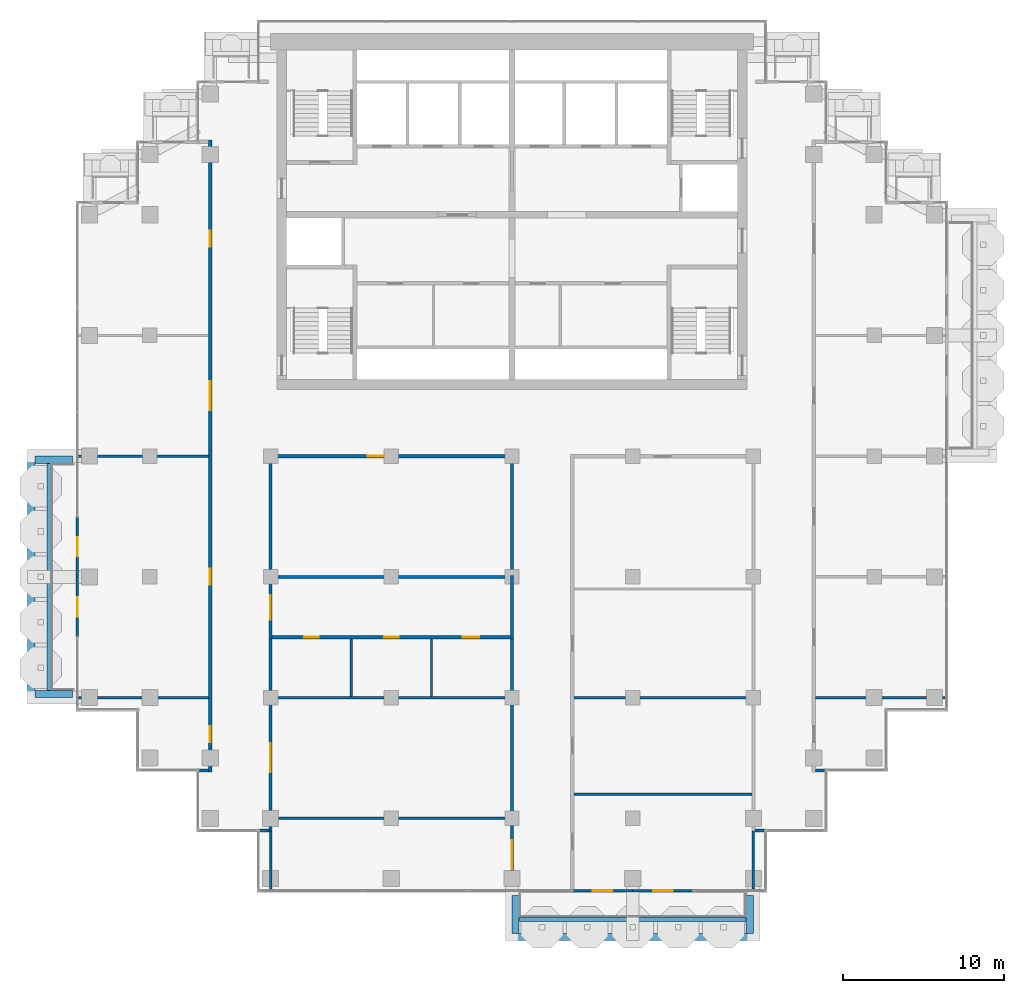
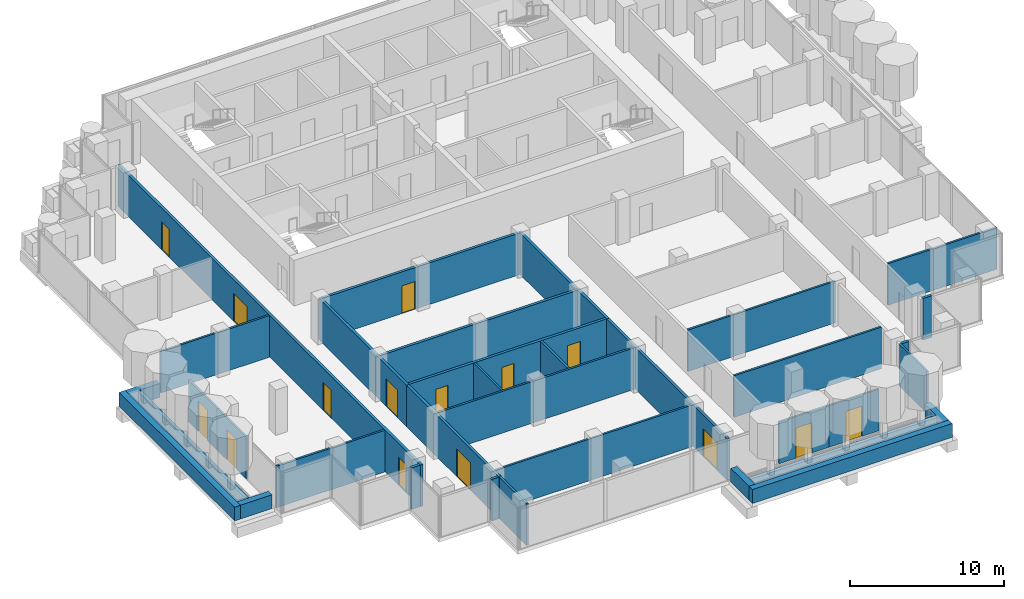
# One storey, part 11 of 18: 37 walls, 15 doors, 15 openings.
"""IFC4 building model written with IfcOpenShell, lengths in metres."""

from ifc_helpers import new_model, si_unit, direction, frame, frame_2d, origin, place, context, subcontext, project, spatial, rectangle, extrude, material, layer, layer_set, type_object, element, fill, save


model = new_model("IFC4")

# Units and contexts
model_context = context("Model", 3, precision=1e-05, world=origin(), true_north=direction((0.0, 1.0)))
body_context = subcontext(model_context, "Body", "Model", "MODEL_VIEW")
ifc_project = project(units=[si_unit("LENGTHUNIT", "METRE"), si_unit("AREAUNIT", "SQUARE_METRE"), si_unit("VOLUMEUNIT", "CUBIC_METRE"), si_unit("PLANEANGLEUNIT", "RADIAN"), si_unit("MASSUNIT", "GRAM", prefix="KILO")], contexts=[model_context])

# Site, building, storey
site_placement = place(None, origin())
site = spatial("IfcSite", under=ifc_project, at=site_placement, CompositionType="ELEMENT")
building_placement = place(site_placement, origin())
building = spatial("IfcBuilding", under=site, at=building_placement, Name="Pilkhan Gate Tower", CompositionType="ELEMENT")
storey_placement = place(building_placement, frame((0.0, 0.0, 203.10009765625)))
storey = spatial("IfcBuildingStorey", under=building, at=storey_placement, Name="L52", CompositionType="ELEMENT", Elevation=203.10009765625)

# Walls
ifc_material_1 = material(Name="Concrete C40/50", Category="concrete")
ifc_layer_1 = layer(ifc_material_1, 0.25)
ifc_layer_set_1 = layer_set([ifc_layer_1], Name="Balcony planter BP250")
wall_type_1 = type_object("IfcWallType", Name="Balcony planter BP250", PredefinedType="USERDEFINED", material=ifc_layer_set_1)
for number, where, z_axis, x_axis, name in (
    (1, (75.449951171875, 38.72509765625, 0.0), (0.0, 0.0, 1.0), (1.0, 0.0, 0.0), "Balcony planter L52 S"),
    (2, (46.22509765625, 52.949951171875, 0.0), (0.0, 0.0, 1.0), (0.0, 1.0, 0.0), "Balcony planter L52 W"),
):
    element("IfcWall", number, at=place(storey_placement, frame(where, z_axis=z_axis, x_axis=x_axis)), inside=storey, type_object=wall_type_1, Name=name, ObjectType="BALCONY PLANTER", PredefinedType="USERDEFINED", context=body_context, shape_type="SweptSolid", body=[
        extrude(rectangle(XDim=14.10009765625, YDim=0.25, at=frame_2d((7.050048828125, 0.0))), origin(), (0.0, 0.0, 1.0), 1.0),
    ])
ifc_material_2 = material(Name="Board-marked Concrete C40/50", Category="concrete")
ifc_layer_2 = layer(ifc_material_2, 0.449951171875)
ifc_layer_set_2 = layer_set([ifc_layer_2], Name="Balcony planter lip BL450")
wall_type_2 = type_object("IfcWallType", Name="Balcony planter lip BL450", PredefinedType="USERDEFINED", material=ifc_layer_set_2)
wall_1_placement = place(storey_placement, frame((75.0, 37.625, 0.0), z_axis=(0.0, 0.0, 1.0), x_axis=(1.0, 0.0, 0.0)))
element("IfcWall", 3, at=wall_1_placement, inside=storey, type_object=wall_type_2, Name="Balcony planter L52 S", ObjectType="BALCONY PLANTER", PredefinedType="USERDEFINED", context=body_context, shape_type="SweptSolid", body=[
    extrude(rectangle(XDim=15.0, YDim=0.449951171875, at=frame_2d((7.5, 0.0))), origin(), (0.0, 0.0, 1.0), 1.099853515625),
])
for number, where, z_axis, x_axis, name in (
    (4, (75.22509765625, 40.199951171875, 0.0), (0.0, 0.0, 1.0), (0.0, -1.0, 0.0), "Balcony planter L52 S"),
    (5, (89.77490234375, 40.199951171875, 0.0), (0.0, 0.0, 1.0), (0.0, -1.0, 0.0), "Balcony planter L52 S"),
):
    element("IfcWall", number, at=place(storey_placement, frame(where, z_axis=z_axis, x_axis=x_axis)), inside=storey, type_object=wall_type_2, Name=name, ObjectType="BALCONY PLANTER", PredefinedType="USERDEFINED", context=body_context, shape_type="SweptSolid", body=[
        extrude(rectangle(XDim=2.349853515625, YDim=0.449951171875, at=frame_2d((1.1748046875, 0.0))), origin(), (0.0, 0.0, 1.0), 1.099853515625),
    ])
wall_2_placement = place(storey_placement, frame((45.125, 52.5, 0.0), z_axis=(0.0, 0.0, 1.0), x_axis=(0.0, 1.0, 0.0)))
element("IfcWall", 6, at=wall_2_placement, inside=storey, type_object=wall_type_2, Name="Balcony planter L52 W", ObjectType="BALCONY PLANTER", PredefinedType="USERDEFINED", context=body_context, shape_type="SweptSolid", body=[
    extrude(rectangle(XDim=15.0, YDim=0.449951171875, at=frame_2d((7.5, 0.0))), origin(), (0.0, 0.0, 1.0), 1.099853515625),
])
for number, where, z_axis, x_axis, name in (
    (7, (47.699951171875, 52.72509765625, 0.0), (0.0, 0.0, 1.0), (-1.0, 0.0, 0.0), "Balcony planter L52 W"),
    (8, (47.699951171875, 67.27490234375, 0.0), (0.0, 0.0, 1.0), (-1.0, 0.0, 0.0), "Balcony planter L52 W"),
):
    element("IfcWall", number, at=place(storey_placement, frame(where, z_axis=z_axis, x_axis=x_axis)), inside=storey, type_object=wall_type_2, Name=name, ObjectType="BALCONY PLANTER", PredefinedType="USERDEFINED", context=body_context, shape_type="SweptSolid", body=[
        extrude(rectangle(XDim=2.349853515625, YDim=0.449951171875, at=frame_2d((1.1748046875, 0.0))), origin(), (0.0, 0.0, 1.0), 1.099853515625),
    ])
ifc_material_3 = material(Name="Dense blockwork", Category="masonry")
ifc_layer_3 = layer(ifc_material_3, 0.199951171875)
ifc_layer_set_3 = layer_set([ifc_layer_3], Name="Corridor wall FW200")
wall_type_3 = type_object("IfcWallType", Name="Corridor wall FW200", PredefinedType="PARTITIONING", material=ifc_layer_set_3)
for number, where, z_axis, x_axis, name in (
    (9, (59.35498046875, 44.235107421875, 0.0), (0.0, 0.0, 1.0), (1.0, 0.0, 0.0), "Partition L52"),
    (10, (90.10009765625, 44.235107421875, 0.0), (0.0, 0.0, 1.0), (1.0, 0.0, 0.0), "Partition L52"),
):
    element("IfcWall", number, at=place(storey_placement, frame(where, z_axis=z_axis, x_axis=x_axis)), inside=storey, type_object=wall_type_3, Name=name, PredefinedType="PARTITIONING", context=body_context, shape_type="SweptSolid", body=[
        extrude(rectangle(XDim=0.544921875, YDim=0.199951171875, at=frame_2d((0.2724609375, 0.0))), origin(), (0.0, 0.0, 1.0), 3.2998046875),
    ])
for number, where, z_axis, x_axis, name in (
    (11, (55.485107421875, 47.969970703125, 0.0), (0.0, 0.0, 1.0), (1.0, 0.0, 0.0), "Partition L52"),
    (12, (93.85009765625, 47.969970703125, 0.0), (0.0, 0.0, 1.0), (1.0, 0.0, 0.0), "Partition L52"),
):
    element("IfcWall", number, at=place(storey_placement, frame(where, z_axis=z_axis, x_axis=x_axis)), inside=storey, type_object=wall_type_3, Name=name, PredefinedType="PARTITIONING", context=body_context, shape_type="SweptSolid", body=[
        extrude(rectangle(XDim=0.664794921875, YDim=0.199951171875, at=frame_2d((0.33251953125, 0.0))), origin(), (0.0, 0.0, 1.0), 3.2998046875),
    ])

# Wall, opening, door
wall_3_placement = place(storey_placement, frame((60.10009765625, 67.5, 0.0), z_axis=(0.0, 0.0, 1.0), x_axis=(1.0, 0.0, 0.0)))
wall_3 = element("IfcWall", 13, at=wall_3_placement, inside=storey, type_object=wall_type_3, Name="Partition L52", PredefinedType="PARTITIONING", context=body_context, shape_type="SweptSolid", body=[
    extrude(rectangle(XDim=14.7998046875, YDim=0.199951171875, at=frame_2d((7.39990234375, 0.0))), origin(), (0.0, 0.0, 1.0), 3.2998046875),
])
opening_1_placement = place(wall_3_placement, frame((5.949951171875, 0.0, 0.0)))
opening_1 = element("IfcOpeningElement", 14, at=opening_1_placement, cuts=wall_3, Name="Opening L52-18", PredefinedType="OPENING", context=body_context, shape_type="SweptSolid", body=[
    extrude(rectangle(XDim=1.0, YDim=2.199951171875, at=frame_2d((0.5, 1.10009765625))), frame((0.0, 0.10986328125, 0.0), z_axis=(0.0, -1.0, 0.0), x_axis=(1.0, 0.0, 0.0)), (0.0, 0.0, 1.0), 0.219970703125),
])
ifc_material_4 = material(Name="Timber flush door, 30 minute fire resisting", Category="wood")
door_type_1 = type_object("IfcDoorType", Name="Room door D03 1000x2200", OperationType="SINGLE_SWING_LEFT", PredefinedType="DOOR", material=ifc_material_4)
door_1_placement = place(opening_1_placement, origin())
door_1 = element("IfcDoor", 15, at=door_1_placement, inside=storey, type_object=door_type_1, Name="Room door", OperationType="SINGLE_SWING_RIGHT", OverallHeight=2.199951171875, OverallWidth=1.0, PredefinedType="DOOR", context=body_context, shape_type="SweptSolid", body=[
    extrude(rectangle(XDim=1.0, YDim=2.199951171875, at=frame_2d((0.5, 1.10009765625))), frame((0.0, 0.02490234375, 0.0), z_axis=(0.0, -1.0, 0.0), x_axis=(1.0, 0.0, 0.0)), (0.0, 0.0, 1.0), 0.050048828125),
])
fill(opening_1, door_1)

# Wall, openings, doors
wall_4_placement = place(storey_placement, frame((56.25, 47.8701171875, 0.0), z_axis=(0.0, 0.0, 1.0), x_axis=(0.0, 1.0, 0.0)))
wall_4 = element("IfcWall", 16, at=wall_4_placement, inside=storey, type_object=wall_type_3, Name="Partition L52", PredefinedType="PARTITIONING", context=body_context, shape_type="SweptSolid", body=[
    extrude(rectangle(XDim=39.259765625, YDim=0.199951171875, at=frame_2d((19.6298828125, 0.0))), origin(), (0.0, 0.0, 1.0), 3.2998046875),
])
opening_2_placement = place(wall_4_placement, frame((1.85009765625, 0.0, 0.0)))
opening_2 = element("IfcOpeningElement", 17, at=opening_2_placement, cuts=wall_4, Name="Opening L52-23", PredefinedType="OPENING", context=body_context, shape_type="SweptSolid", body=[
    extrude(rectangle(XDim=1.0, YDim=2.199951171875, at=frame_2d((0.5, 1.10009765625))), frame((0.0, 0.10986328125, 0.0), z_axis=(0.0, -1.0, 0.0), x_axis=(1.0, 0.0, 0.0)), (0.0, 0.0, 1.0), 0.219970703125),
])
opening_3_placement = place(wall_4_placement, frame((11.6298828125, 0.0, 0.0)))
opening_3 = element("IfcOpeningElement", 18, at=opening_3_placement, cuts=wall_4, Name="Opening L52-24", PredefinedType="OPENING", context=body_context, shape_type="SweptSolid", body=[
    extrude(rectangle(XDim=1.0, YDim=2.199951171875, at=frame_2d((0.5, 1.10009765625))), frame((0.0, 0.10986328125, 0.0), z_axis=(0.0, -1.0, 0.0), x_axis=(1.0, 0.0, 0.0)), (0.0, 0.0, 1.0), 0.219970703125),
])
opening_4_placement = place(wall_4_placement, frame((22.47998046875, 0.0, 0.0)))
opening_4 = element("IfcOpeningElement", 19, at=opening_4_placement, cuts=wall_4, Name="Opening L52-25", PredefinedType="OPENING", context=body_context, shape_type="SweptSolid", body=[
    extrude(rectangle(XDim=1.800048828125, YDim=2.199951171875, at=frame_2d((0.89990234375, 1.10009765625))), frame((0.0, 0.10986328125, 0.0), z_axis=(0.0, -1.0, 0.0), x_axis=(1.0, 0.0, 0.0)), (0.0, 0.0, 1.0), 0.219970703125),
])
opening_5_placement = place(wall_4_placement, frame((32.6298828125, 0.0, 0.0)))
opening_5 = element("IfcOpeningElement", 20, at=opening_5_placement, cuts=wall_4, Name="Opening L52-30", PredefinedType="OPENING", context=body_context, shape_type="SweptSolid", body=[
    extrude(rectangle(XDim=1.0, YDim=2.199951171875, at=frame_2d((0.5, 1.10009765625))), frame((0.0, 0.10986328125, 0.0), z_axis=(0.0, -1.0, 0.0), x_axis=(1.0, 0.0, 0.0)), (0.0, 0.0, 1.0), 0.219970703125),
])
ifc_material_5 = material(Name="Timber glazed double door, 30 minute fire resisting", Category="wood")
door_type_2 = type_object("IfcDoorType", Name="Double door D04 1800x2200", OperationType="DOUBLE_DOOR_SINGLE_SWING", PredefinedType="DOOR", material=ifc_material_5)
door_2_placement = place(opening_4_placement, origin())
door_2 = element("IfcDoor", 21, at=door_2_placement, inside=storey, type_object=door_type_2, Name="Double door", OperationType="DOUBLE_DOOR_SINGLE_SWING", OverallHeight=2.199951171875, OverallWidth=1.800048828125, PredefinedType="DOOR", context=body_context, shape_type="SweptSolid", body=[
    extrude(rectangle(XDim=1.800048828125, YDim=2.199951171875, at=frame_2d((0.89990234375, 1.10009765625))), frame((0.0, 0.02490234375, 0.0), z_axis=(0.0, -1.0, 0.0), x_axis=(1.0, 0.0, 0.0)), (0.0, 0.0, 1.0), 0.050048828125),
])
fill(opening_4, door_2)
door_3_placement = place(opening_2_placement, origin())
door_3 = element("IfcDoor", 22, at=door_3_placement, inside=storey, type_object=door_type_1, Name="Room door", OperationType="SINGLE_SWING_RIGHT", OverallHeight=2.199951171875, OverallWidth=1.0, PredefinedType="DOOR", context=body_context, shape_type="SweptSolid", body=[
    extrude(rectangle(XDim=1.0, YDim=2.199951171875, at=frame_2d((0.5, 1.10009765625))), frame((0.0, 0.02490234375, 0.0), z_axis=(0.0, -1.0, 0.0), x_axis=(1.0, 0.0, 0.0)), (0.0, 0.0, 1.0), 0.050048828125),
])
fill(opening_2, door_3)
door_4_placement = place(opening_3_placement, origin())
door_4 = element("IfcDoor", 23, at=door_4_placement, inside=storey, type_object=door_type_1, Name="Room door", OperationType="SINGLE_SWING_RIGHT", OverallHeight=2.199951171875, OverallWidth=1.0, PredefinedType="DOOR", context=body_context, shape_type="SweptSolid", body=[
    extrude(rectangle(XDim=1.0, YDim=2.199951171875, at=frame_2d((0.5, 1.10009765625))), frame((0.0, 0.02490234375, 0.0), z_axis=(0.0, -1.0, 0.0), x_axis=(1.0, 0.0, 0.0)), (0.0, 0.0, 1.0), 0.050048828125),
])
fill(opening_3, door_4)
door_5_placement = place(opening_5_placement, origin())
door_5 = element("IfcDoor", 24, at=door_5_placement, inside=storey, type_object=door_type_1, Name="Room door", OperationType="SINGLE_SWING_LEFT", OverallHeight=2.199951171875, OverallWidth=1.0, PredefinedType="DOOR", context=body_context, shape_type="SweptSolid", body=[
    extrude(rectangle(XDim=1.0, YDim=2.199951171875, at=frame_2d((0.5, 1.10009765625))), frame((0.0, 0.02490234375, 0.0), z_axis=(0.0, -1.0, 0.0), x_axis=(1.0, 0.0, 0.0)), (0.0, 0.0, 1.0), 0.050048828125),
])
fill(opening_5, door_5)

# Wall, opening, door
wall_5_placement = place(storey_placement, frame((60.0, 44.135009765625, 0.0), z_axis=(0.0, 0.0, 1.0), x_axis=(0.0, 1.0, 0.0)))
wall_5 = element("IfcWall", 25, at=wall_5_placement, inside=storey, type_object=wall_type_3, Name="Partition L52", PredefinedType="PARTITIONING", context=body_context, shape_type="SweptSolid", body=[
    extrude(rectangle(XDim=12.114990234375, YDim=0.199951171875, at=frame_2d((6.0576171875, 0.0))), origin(), (0.0, 0.0, 1.0), 3.2998046875),
])
opening_6_placement = place(wall_5_placement, frame((3.715087890625, 0.0, 0.0)))
opening_6 = element("IfcOpeningElement", 26, at=opening_6_placement, cuts=wall_5, Name="Opening L52-17", PredefinedType="OPENING", context=body_context, shape_type="SweptSolid", body=[
    extrude(rectangle(XDim=1.800048828125, YDim=2.199951171875, at=frame_2d((0.89990234375, 1.10009765625))), frame((0.0, 0.10986328125, 0.0), z_axis=(0.0, -1.0, 0.0), x_axis=(1.0, 0.0, 0.0)), (0.0, 0.0, 1.0), 0.219970703125),
])
door_6_placement = place(opening_6_placement, origin())
door_6 = element("IfcDoor", 27, at=door_6_placement, inside=storey, type_object=door_type_2, Name="Double door", OperationType="DOUBLE_DOOR_SINGLE_SWING", OverallHeight=2.199951171875, OverallWidth=1.800048828125, PredefinedType="DOOR", context=body_context, shape_type="SweptSolid", body=[
    extrude(rectangle(XDim=1.800048828125, YDim=2.199951171875, at=frame_2d((0.89990234375, 1.10009765625))), frame((0.0, 0.02490234375, 0.0), z_axis=(0.0, -1.0, 0.0), x_axis=(1.0, 0.0, 0.0)), (0.0, 0.0, 1.0), 0.050048828125),
])
fill(opening_6, door_6)

# Wall
wall_6_placement = place(storey_placement, frame((60.0, 60.0, 0.0), z_axis=(0.0, 0.0, 1.0), x_axis=(0.0, 1.0, 0.0)))
element("IfcWall", 28, at=wall_6_placement, inside=storey, type_object=wall_type_3, Name="Partition L52", PredefinedType="PARTITIONING", context=body_context, shape_type="SweptSolid", body=[
    extrude(rectangle(XDim=7.60009765625, YDim=0.199951171875, at=frame_2d((3.800048828125, 0.0))), origin(), (0.0, 0.0, 1.0), 3.2998046875),
])

# Wall, opening, door
wall_7_placement = place(storey_placement, frame((75.0, 40.485107421875, 0.0), z_axis=(0.0, 0.0, 1.0), x_axis=(0.0, 1.0, 0.0)))
wall_7 = element("IfcWall", 29, at=wall_7_placement, inside=storey, type_object=wall_type_3, Name="Partition L52", PredefinedType="PARTITIONING", context=body_context, shape_type="SweptSolid", body=[
    extrude(rectangle(XDim=15.764892578125, YDim=0.199951171875, at=frame_2d((7.88232421875, 0.0))), origin(), (0.0, 0.0, 1.0), 3.2998046875),
])
opening_7_placement = place(wall_7_placement, frame((1.35009765625, 0.0, 0.0)))
opening_7 = element("IfcOpeningElement", 30, at=opening_7_placement, cuts=wall_7, Name="Opening L52-16", PredefinedType="OPENING", context=body_context, shape_type="SweptSolid", body=[
    extrude(rectangle(XDim=1.800048828125, YDim=2.199951171875, at=frame_2d((0.89990234375, 1.10009765625))), frame((0.0, 0.10986328125, 0.0), z_axis=(0.0, -1.0, 0.0), x_axis=(1.0, 0.0, 0.0)), (0.0, 0.0, 1.0), 0.219970703125),
])
door_7_placement = place(opening_7_placement, origin())
door_7 = element("IfcDoor", 31, at=door_7_placement, inside=storey, type_object=door_type_2, Name="Double door", OperationType="DOUBLE_DOOR_SINGLE_SWING", OverallHeight=2.199951171875, OverallWidth=1.800048828125, PredefinedType="DOOR", context=body_context, shape_type="SweptSolid", body=[
    extrude(rectangle(XDim=1.800048828125, YDim=2.199951171875, at=frame_2d((0.89990234375, 1.10009765625))), frame((0.0, 0.02490234375, 0.0), z_axis=(0.0, -1.0, 0.0), x_axis=(1.0, 0.0, 0.0)), (0.0, 0.0, 1.0), 0.050048828125),
])
fill(opening_7, door_7)

# Wall
wall_8_placement = place(storey_placement, frame((75.0, 60.0, 0.0), z_axis=(0.0, 0.0, 1.0), x_axis=(0.0, 1.0, 0.0)))
element("IfcWall", 32, at=wall_8_placement, inside=storey, type_object=wall_type_3, Name="Partition L52", PredefinedType="PARTITIONING", context=body_context, shape_type="SweptSolid", body=[
    extrude(rectangle(XDim=7.60009765625, YDim=0.199951171875, at=frame_2d((3.800048828125, 0.0))), origin(), (0.0, 0.0, 1.0), 3.2998046875),
])

# Wall, opening, door
ifc_material_6 = material(Name="Pale anodised aluminium, clear laminated glazing", Category="aluminium")
ifc_layer_4 = layer(ifc_material_6, 0.14990234375)
ifc_layer_set_4 = layer_set([ifc_layer_4], Name="Facade infill wall IW150")
wall_type_4 = type_object("IfcWallType", Name="Facade infill wall IW150", PredefinedType="SOLIDWALL", material=ifc_layer_set_4)
wall_9_placement = place(storey_placement, frame((48.0, 56.25, 0.0), z_axis=(0.0, 0.0, 1.0), x_axis=(0.0, 1.0, 0.0)))
wall_9 = element("IfcWall", 33, at=wall_9_placement, inside=storey, type_object=wall_type_4, Name="Infill wall L52 W", PredefinedType="SOLIDWALL", context=body_context, shape_type="SweptSolid", body=[
    extrude(rectangle(XDim=3.75, YDim=0.14990234375, at=frame_2d((1.875, 0.0))), origin(), (0.0, 0.0, 1.0), 3.2998046875),
])
opening_8_placement = place(wall_9_placement, frame((1.27490234375, 0.0, 0.0)))
opening_8 = element("IfcOpeningElement", 34, at=opening_8_placement, cuts=wall_9, Name="Opening D1", PredefinedType="OPENING", context=body_context, shape_type="SweptSolid", body=[
    extrude(rectangle(XDim=1.199951171875, YDim=2.39990234375, at=frame_2d((0.60009765625, 1.199951171875))), frame((0.0, 0.0849609375, 0.0), z_axis=(0.0, -1.0, 0.0), x_axis=(1.0, 0.0, 0.0)), (0.0, 0.0, 1.0), 0.169921875),
])
ifc_material_7 = material(Name="Pale anodised aluminium, clear glazing", Category="aluminium")
door_type_3 = type_object("IfcDoorType", Name="Balcony door D1 1200x2400", OperationType="SINGLE_SWING_LEFT", PredefinedType="DOOR", material=ifc_material_7)
door_8_placement = place(opening_8_placement, origin())
door_8 = element("IfcDoor", 35, at=door_8_placement, inside=storey, type_object=door_type_3, Name="Balcony door L52", OperationType="SINGLE_SWING_LEFT", OverallHeight=2.39990234375, OverallWidth=1.199951171875, PredefinedType="DOOR", context=body_context, shape_type="SweptSolid", body=[
    extrude(rectangle(XDim=1.199951171875, YDim=2.39990234375, at=frame_2d((0.60009765625, 1.199951171875))), frame((0.0, 0.02490234375, 0.0), z_axis=(0.0, -1.0, 0.0), x_axis=(1.0, 0.0, 0.0)), (0.0, 0.0, 1.0), 0.050048828125),
])
fill(opening_8, door_8)

wall_10_placement = place(storey_placement, frame((48.0, 60.0, 0.0), z_axis=(0.0, 0.0, 1.0), x_axis=(0.0, 1.0, 0.0)))
wall_10 = element("IfcWall", 36, at=wall_10_placement, inside=storey, type_object=wall_type_4, Name="Infill wall L52 W", PredefinedType="SOLIDWALL", context=body_context, shape_type="SweptSolid", body=[
    extrude(rectangle(XDim=3.75, YDim=0.14990234375, at=frame_2d((1.875, 0.0))), origin(), (0.0, 0.0, 1.0), 3.2998046875),
])
opening_9_placement = place(wall_10_placement, frame((1.27490234375, 0.0, 0.0)))
opening_9 = element("IfcOpeningElement", 37, at=opening_9_placement, cuts=wall_10, Name="Opening D1", PredefinedType="OPENING", context=body_context, shape_type="SweptSolid", body=[
    extrude(rectangle(XDim=1.199951171875, YDim=2.39990234375, at=frame_2d((0.60009765625, 1.199951171875))), frame((0.0, 0.0849609375, 0.0), z_axis=(0.0, -1.0, 0.0), x_axis=(1.0, 0.0, 0.0)), (0.0, 0.0, 1.0), 0.169921875),
])
door_9_placement = place(opening_9_placement, origin())
door_9 = element("IfcDoor", 38, at=door_9_placement, inside=storey, type_object=door_type_3, Name="Balcony door L52", OperationType="SINGLE_SWING_LEFT", OverallHeight=2.39990234375, OverallWidth=1.199951171875, PredefinedType="DOOR", context=body_context, shape_type="SweptSolid", body=[
    extrude(rectangle(XDim=1.199951171875, YDim=2.39990234375, at=frame_2d((0.60009765625, 1.199951171875))), frame((0.0, 0.02490234375, 0.0), z_axis=(0.0, -1.0, 0.0), x_axis=(1.0, 0.0, 0.0)), (0.0, 0.0, 1.0), 0.050048828125),
])
fill(opening_9, door_9)

wall_11_placement = place(storey_placement, frame((78.75, 40.5, 0.0), z_axis=(0.0, 0.0, 1.0), x_axis=(1.0, 0.0, 0.0)))
wall_11 = element("IfcWall", 39, at=wall_11_placement, inside=storey, type_object=wall_type_4, Name="Infill wall L52 S", PredefinedType="SOLIDWALL", context=body_context, shape_type="SweptSolid", body=[
    extrude(rectangle(XDim=3.75, YDim=0.14990234375, at=frame_2d((1.875, 0.0))), origin(), (0.0, 0.0, 1.0), 3.2998046875),
])
opening_10_placement = place(wall_11_placement, frame((1.27490234375, 0.0, 0.0)))
opening_10 = element("IfcOpeningElement", 40, at=opening_10_placement, cuts=wall_11, Name="Opening D1", PredefinedType="OPENING", context=body_context, shape_type="SweptSolid", body=[
    extrude(rectangle(XDim=1.199951171875, YDim=2.39990234375, at=frame_2d((0.60009765625, 1.199951171875))), frame((0.0, 0.0849609375, 0.0), z_axis=(0.0, -1.0, 0.0), x_axis=(1.0, 0.0, 0.0)), (0.0, 0.0, 1.0), 0.169921875),
])
door_10_placement = place(opening_10_placement, origin())
door_10 = element("IfcDoor", 41, at=door_10_placement, inside=storey, type_object=door_type_3, Name="Balcony door L52", OperationType="SINGLE_SWING_LEFT", OverallHeight=2.39990234375, OverallWidth=1.199951171875, PredefinedType="DOOR", context=body_context, shape_type="SweptSolid", body=[
    extrude(rectangle(XDim=1.199951171875, YDim=2.39990234375, at=frame_2d((0.60009765625, 1.199951171875))), frame((0.0, 0.02490234375, 0.0), z_axis=(0.0, -1.0, 0.0), x_axis=(1.0, 0.0, 0.0)), (0.0, 0.0, 1.0), 0.050048828125),
])
fill(opening_10, door_10)

wall_12_placement = place(storey_placement, frame((82.5, 40.5, 0.0), z_axis=(0.0, 0.0, 1.0), x_axis=(1.0, 0.0, 0.0)))
wall_12 = element("IfcWall", 42, at=wall_12_placement, inside=storey, type_object=wall_type_4, Name="Infill wall L52 S", PredefinedType="SOLIDWALL", context=body_context, shape_type="SweptSolid", body=[
    extrude(rectangle(XDim=3.75, YDim=0.14990234375, at=frame_2d((1.875, 0.0))), origin(), (0.0, 0.0, 1.0), 3.2998046875),
])
opening_11_placement = place(wall_12_placement, frame((1.27490234375, 0.0, 0.0)))
opening_11 = element("IfcOpeningElement", 43, at=opening_11_placement, cuts=wall_12, Name="Opening D1", PredefinedType="OPENING", context=body_context, shape_type="SweptSolid", body=[
    extrude(rectangle(XDim=1.199951171875, YDim=2.39990234375, at=frame_2d((0.60009765625, 1.199951171875))), frame((0.0, 0.0849609375, 0.0), z_axis=(0.0, -1.0, 0.0), x_axis=(1.0, 0.0, 0.0)), (0.0, 0.0, 1.0), 0.169921875),
])
door_11_placement = place(opening_11_placement, origin())
door_11 = element("IfcDoor", 44, at=door_11_placement, inside=storey, type_object=door_type_3, Name="Balcony door L52", OperationType="SINGLE_SWING_LEFT", OverallHeight=2.39990234375, OverallWidth=1.199951171875, PredefinedType="DOOR", context=body_context, shape_type="SweptSolid", body=[
    extrude(rectangle(XDim=1.199951171875, YDim=2.39990234375, at=frame_2d((0.60009765625, 1.199951171875))), frame((0.0, 0.02490234375, 0.0), z_axis=(0.0, -1.0, 0.0), x_axis=(1.0, 0.0, 0.0)), (0.0, 0.0, 1.0), 0.050048828125),
])
fill(opening_11, door_11)

# Wall, openings, doors
ifc_layer_5 = layer(ifc_material_3, 0.199951171875)
ifc_layer_set_5 = layer_set([ifc_layer_5], Name="Lobby wall LW200")
wall_type_5 = type_object("IfcWallType", Name="Lobby wall LW200", PredefinedType="PARTITIONING", material=ifc_layer_set_5)
wall_13_placement = place(storey_placement, frame((60.10009765625, 56.25, 0.0), z_axis=(0.0, 0.0, 1.0), x_axis=(1.0, 0.0, 0.0)))
wall_13 = element("IfcWall", 45, at=wall_13_placement, inside=storey, type_object=wall_type_5, Name="Partition L52", PredefinedType="PARTITIONING", context=body_context, shape_type="SweptSolid", body=[
    extrude(rectangle(XDim=14.7998046875, YDim=0.199951171875, at=frame_2d((7.39990234375, 0.0))), origin(), (0.0, 0.0, 1.0), 3.2998046875),
])
opening_12_placement = place(wall_13_placement, frame((2.0, 0.0, 0.0)))
opening_12 = element("IfcOpeningElement", 46, at=opening_12_placement, cuts=wall_13, Name="Opening L52-13", PredefinedType="OPENING", context=body_context, shape_type="SweptSolid", body=[
    extrude(rectangle(XDim=0.89990234375, YDim=2.199951171875, at=frame_2d((0.449951171875, 1.10009765625))), frame((0.0, 0.10986328125, 0.0), z_axis=(0.0, -1.0, 0.0), x_axis=(1.0, 0.0, 0.0)), (0.0, 0.0, 1.0), 0.219970703125),
])
opening_13_placement = place(wall_13_placement, frame((6.949951171875, 0.0, 0.0)))
opening_13 = element("IfcOpeningElement", 47, at=opening_13_placement, cuts=wall_13, Name="Opening L52-14", PredefinedType="OPENING", context=body_context, shape_type="SweptSolid", body=[
    extrude(rectangle(XDim=0.89990234375, YDim=2.199951171875, at=frame_2d((0.449951171875, 1.10009765625))), frame((0.0, 0.10986328125, 0.0), z_axis=(0.0, -1.0, 0.0), x_axis=(1.0, 0.0, 0.0)), (0.0, 0.0, 1.0), 0.219970703125),
])
opening_14_placement = place(wall_13_placement, frame((11.85009765625, 0.0, 0.0)))
opening_14 = element("IfcOpeningElement", 48, at=opening_14_placement, cuts=wall_13, Name="Opening L52-15", PredefinedType="OPENING", context=body_context, shape_type="SweptSolid", body=[
    extrude(rectangle(XDim=1.0, YDim=2.199951171875, at=frame_2d((0.5, 1.10009765625))), frame((0.0, 0.10986328125, 0.0), z_axis=(0.0, -1.0, 0.0), x_axis=(1.0, 0.0, 0.0)), (0.0, 0.0, 1.0), 0.219970703125),
])
ifc_material_8 = material(Name="Timber flush door, outward opening, 30 minute fire resisting", Category="wood")
door_type_4 = type_object("IfcDoorType", Name="Accessible toilet door D07 1000x2200", OperationType="SINGLE_SWING_LEFT", PredefinedType="DOOR", material=ifc_material_8)
door_12_placement = place(opening_14_placement, origin())
door_12 = element("IfcDoor", 49, at=door_12_placement, inside=storey, type_object=door_type_4, Name="Accessible toilet door", OperationType="SINGLE_SWING_RIGHT", OverallHeight=2.199951171875, OverallWidth=1.0, PredefinedType="DOOR", context=body_context, shape_type="SweptSolid", body=[
    extrude(rectangle(XDim=1.0, YDim=2.199951171875, at=frame_2d((0.5, 1.10009765625))), frame((0.0, 0.02490234375, 0.0), z_axis=(0.0, -1.0, 0.0), x_axis=(1.0, 0.0, 0.0)), (0.0, 0.0, 1.0), 0.050048828125),
])
fill(opening_14, door_12)
door_type_5 = type_object("IfcDoorType", Name="Toilet door D06 900x2200", OperationType="SINGLE_SWING_LEFT", PredefinedType="DOOR", material=ifc_material_4)
door_13_placement = place(opening_12_placement, origin())
door_13 = element("IfcDoor", 50, at=door_13_placement, inside=storey, type_object=door_type_5, Name="Toilet door", OperationType="SINGLE_SWING_RIGHT", OverallHeight=2.199951171875, OverallWidth=0.89990234375, PredefinedType="DOOR", context=body_context, shape_type="SweptSolid", body=[
    extrude(rectangle(XDim=0.89990234375, YDim=2.199951171875, at=frame_2d((0.449951171875, 1.10009765625))), frame((0.0, 0.02490234375, 0.0), z_axis=(0.0, -1.0, 0.0), x_axis=(1.0, 0.0, 0.0)), (0.0, 0.0, 1.0), 0.050048828125),
])
fill(opening_12, door_13)
door_14_placement = place(opening_13_placement, origin())
door_14 = element("IfcDoor", 51, at=door_14_placement, inside=storey, type_object=door_type_5, Name="Toilet door", OperationType="SINGLE_SWING_RIGHT", OverallHeight=2.199951171875, OverallWidth=0.89990234375, PredefinedType="DOOR", context=body_context, shape_type="SweptSolid", body=[
    extrude(rectangle(XDim=0.89990234375, YDim=2.199951171875, at=frame_2d((0.449951171875, 1.10009765625))), frame((0.0, 0.02490234375, 0.0), z_axis=(0.0, -1.0, 0.0), x_axis=(1.0, 0.0, 0.0)), (0.0, 0.0, 1.0), 0.050048828125),
])
fill(opening_13, door_14)

# Wall
wall_14_placement = place(storey_placement, frame((60.10009765625, 60.0, 0.0), z_axis=(0.0, 0.0, 1.0), x_axis=(1.0, 0.0, 0.0)))
element("IfcWall", 52, at=wall_14_placement, inside=storey, type_object=wall_type_5, Name="Partition L52", PredefinedType="PARTITIONING", context=body_context, shape_type="SweptSolid", body=[
    extrude(rectangle(XDim=14.7998046875, YDim=0.199951171875, at=frame_2d((7.39990234375, 0.0))), origin(), (0.0, 0.0, 1.0), 3.2998046875),
])

# Wall, opening, door
wall_15_placement = place(storey_placement, frame((60.0, 56.14990234375, 0.0), z_axis=(0.0, 0.0, 1.0), x_axis=(0.0, 1.0, 0.0)))
wall_15 = element("IfcWall", 53, at=wall_15_placement, inside=storey, type_object=wall_type_5, Name="Partition L52", PredefinedType="PARTITIONING", context=body_context, shape_type="SweptSolid", body=[
    extrude(rectangle(XDim=3.9501953125, YDim=0.199951171875, at=frame_2d((1.97509765625, 0.0))), origin(), (0.0, 0.0, 1.0), 3.2998046875),
])
opening_15_placement = place(wall_15_placement, frame((1.199951171875, 0.0, 0.0)))
opening_15 = element("IfcOpeningElement", 54, at=opening_15_placement, cuts=wall_15, Name="Opening L52-12", PredefinedType="OPENING", context=body_context, shape_type="SweptSolid", body=[
    extrude(rectangle(XDim=1.5, YDim=2.199951171875, at=frame_2d((0.75, 1.10009765625))), frame((0.0, 0.10986328125, 0.0), z_axis=(0.0, -1.0, 0.0), x_axis=(1.0, 0.0, 0.0)), (0.0, 0.0, 1.0), 0.219970703125),
])
ifc_material_9 = material(Name="Steel framed glazed door, 60 minute fire resisting", Category="steel")
door_type_6 = type_object("IfcDoorType", Name="Lobby door D09 1500x2200", OperationType="DOUBLE_DOOR_SINGLE_SWING", PredefinedType="DOOR", material=ifc_material_9)
door_15_placement = place(opening_15_placement, origin())
door_15 = element("IfcDoor", 55, at=door_15_placement, inside=storey, type_object=door_type_6, Name="Lobby door", OperationType="DOUBLE_DOOR_SINGLE_SWING", OverallHeight=2.199951171875, OverallWidth=1.5, PredefinedType="DOOR", context=body_context, shape_type="SweptSolid", body=[
    extrude(rectangle(XDim=1.5, YDim=2.199951171875, at=frame_2d((0.75, 1.10009765625))), frame((0.0, 0.02490234375, 0.0), z_axis=(0.0, -1.0, 0.0), x_axis=(1.0, 0.0, 0.0)), (0.0, 0.0, 1.0), 0.050048828125),
])
fill(opening_15, door_15)

# Walls
wall_16_placement = place(storey_placement, frame((75.0, 56.14990234375, 0.0), z_axis=(0.0, 0.0, 1.0), x_axis=(0.0, 1.0, 0.0)))
element("IfcWall", 56, at=wall_16_placement, inside=storey, type_object=wall_type_5, Name="Partition L52", PredefinedType="PARTITIONING", context=body_context, shape_type="SweptSolid", body=[
    extrude(rectangle(XDim=3.9501953125, YDim=0.199951171875, at=frame_2d((1.97509765625, 0.0))), origin(), (0.0, 0.0, 1.0), 3.2998046875),
])
ifc_material_10 = material(Name="Blockwork partition, plastered both sides", Category="masonry")
ifc_layer_6 = layer(ifc_material_10, 0.14990234375)
ifc_layer_set_6 = layer_set([ifc_layer_6], Name="Partition PW150")
wall_type_6 = type_object("IfcWallType", Name="Partition PW150", PredefinedType="PARTITIONING", material=ifc_layer_set_6)
wall_17_placement = place(storey_placement, frame((60.10009765625, 45.0, 0.0), z_axis=(0.0, 0.0, 1.0), x_axis=(1.0, 0.0, 0.0)))
element("IfcWall", 57, at=wall_17_placement, inside=storey, type_object=wall_type_6, Name="Partition L52", PredefinedType="PARTITIONING", context=body_context, shape_type="SweptSolid", body=[
    extrude(rectangle(XDim=14.7998046875, YDim=0.14990234375, at=frame_2d((7.39990234375, 0.0))), origin(), (0.0, 0.0, 1.0), 3.2998046875),
])
wall_18_placement = place(storey_placement, frame((78.85009765625, 46.5, 0.0), z_axis=(0.0, 0.0, 1.0), x_axis=(1.0, 0.0, 0.0)))
element("IfcWall", 58, at=wall_18_placement, inside=storey, type_object=wall_type_6, Name="Partition L52", PredefinedType="PARTITIONING", context=body_context, shape_type="SweptSolid", body=[
    extrude(rectangle(XDim=11.0498046875, YDim=0.14990234375, at=frame_2d((5.52490234375, 0.0))), origin(), (0.0, 0.0, 1.0), 3.2998046875),
])
wall_19_placement = place(storey_placement, frame((47.985107421875, 52.5, 0.0), z_axis=(0.0, 0.0, 1.0), x_axis=(1.0, 0.0, 0.0)))
element("IfcWall", 59, at=wall_19_placement, inside=storey, type_object=wall_type_6, Name="Partition L52", PredefinedType="PARTITIONING", context=body_context, shape_type="SweptSolid", body=[
    extrude(rectangle(XDim=8.164794921875, YDim=0.14990234375, at=frame_2d((4.08251953125, 0.0))), origin(), (0.0, 0.0, 1.0), 3.2998046875),
])
wall_20_placement = place(storey_placement, frame((60.10009765625, 52.5, 0.0), z_axis=(0.0, 0.0, 1.0), x_axis=(1.0, 0.0, 0.0)))
element("IfcWall", 60, at=wall_20_placement, inside=storey, type_object=wall_type_6, Name="Partition L52", PredefinedType="PARTITIONING", context=body_context, shape_type="SweptSolid", body=[
    extrude(rectangle(XDim=14.7998046875, YDim=0.14990234375, at=frame_2d((7.39990234375, 0.0))), origin(), (0.0, 0.0, 1.0), 3.2998046875),
])
wall_21_placement = place(storey_placement, frame((78.85009765625, 52.5, 0.0), z_axis=(0.0, 0.0, 1.0), x_axis=(1.0, 0.0, 0.0)))
element("IfcWall", 61, at=wall_21_placement, inside=storey, type_object=wall_type_6, Name="Partition L52", PredefinedType="PARTITIONING", context=body_context, shape_type="SweptSolid", body=[
    extrude(rectangle(XDim=11.0498046875, YDim=0.14990234375, at=frame_2d((5.52490234375, 0.0))), origin(), (0.0, 0.0, 1.0), 3.2998046875),
])
for number, where, z_axis, x_axis, name in (
    (62, (93.85009765625, 52.5, 0.0), (0.0, 0.0, 1.0), (1.0, 0.0, 0.0), "Partition L52"),
    (63, (47.985107421875, 67.5, 0.0), (0.0, 0.0, 1.0), (1.0, 0.0, 0.0), "Partition L52"),
):
    element("IfcWall", number, at=place(storey_placement, frame(where, z_axis=z_axis, x_axis=x_axis)), inside=storey, type_object=wall_type_6, Name=name, PredefinedType="PARTITIONING", context=body_context, shape_type="SweptSolid", body=[
        extrude(rectangle(XDim=8.164794921875, YDim=0.14990234375, at=frame_2d((4.08251953125, 0.0))), origin(), (0.0, 0.0, 1.0), 3.2998046875),
    ])
wall_22_placement = place(storey_placement, frame((60.0, 40.60498046875, 0.0), z_axis=(0.0, 0.0, 1.0), x_axis=(0.0, 1.0, 0.0)))
element("IfcWall", 64, at=wall_22_placement, inside=storey, type_object=wall_type_6, Name="Partition L52", PredefinedType="PARTITIONING", context=body_context, shape_type="SweptSolid", body=[
    extrude(rectangle(XDim=3.60009765625, YDim=0.14990234375, at=frame_2d((1.800048828125, 0.0))), origin(), (0.0, 0.0, 1.0), 3.2998046875),
])
for number, where, z_axis, x_axis, name in (
    (65, (65.0, 52.574951171875, 0.0), (0.0, 0.0, 1.0), (0.0, 1.0, 0.0), "Partition L52"),
    (66, (70.0, 52.574951171875, 0.0), (0.0, 0.0, 1.0), (0.0, 1.0, 0.0), "Partition L52"),
):
    element("IfcWall", number, at=place(storey_placement, frame(where, z_axis=z_axis, x_axis=x_axis)), inside=storey, type_object=wall_type_6, Name=name, PredefinedType="PARTITIONING", context=body_context, shape_type="SweptSolid", body=[
        extrude(rectangle(XDim=3.574951171875, YDim=0.14990234375, at=frame_2d((1.78759765625, 0.0))), origin(), (0.0, 0.0, 1.0), 3.2998046875),
    ])
wall_23_placement = place(storey_placement, frame((90.0, 40.60498046875, 0.0), z_axis=(0.0, 0.0, 1.0), x_axis=(0.0, 1.0, 0.0)))
element("IfcWall", 67, at=wall_23_placement, inside=storey, type_object=wall_type_6, Name="Partition L52", PredefinedType="PARTITIONING", context=body_context, shape_type="SweptSolid", body=[
    extrude(rectangle(XDim=3.60009765625, YDim=0.14990234375, at=frame_2d((1.800048828125, 0.0))), origin(), (0.0, 0.0, 1.0), 3.2998046875),
])

save(model, "model.ifc")
